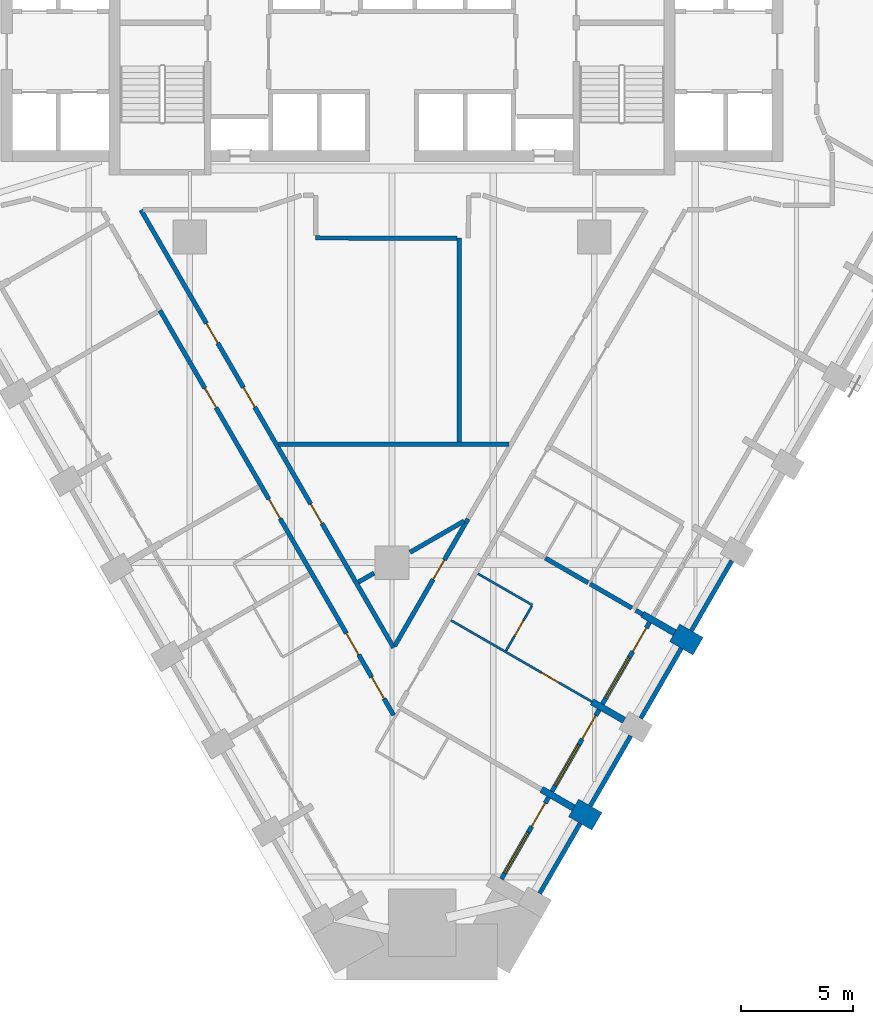
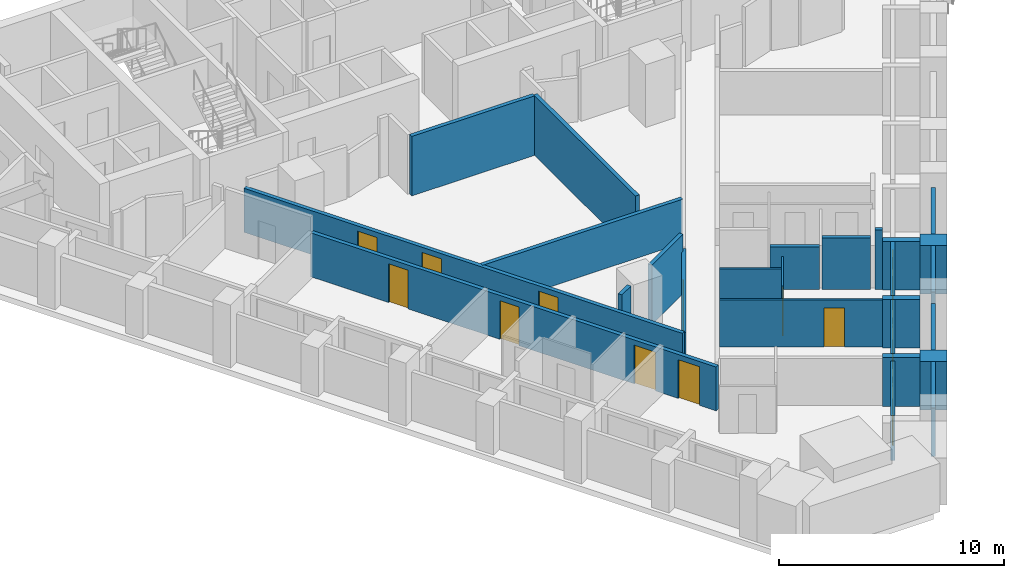
# One storey, part 4 of 10: 26 walls, 13 doors, 3 windows, 16 openings.
"""IFC4 building model written with IfcOpenShell, lengths in metres."""

from ifc_helpers import new_model, si_unit, direction, frame, frame_2d, origin, place, context, subcontext, project, spatial, polyline, rectangle, outline, extrude, material, layer, layer_set, type_object, element, fill, save


model = new_model("IFC4")

# Units and contexts
model_context = context("Model", 3, precision=1e-05, world=origin(), true_north=direction((0.0, 1.0)))
body_context = subcontext(model_context, "Body", "Model", "MODEL_VIEW")
ifc_project = project(units=[si_unit("LENGTHUNIT", "METRE"), si_unit("AREAUNIT", "SQUARE_METRE"), si_unit("VOLUMEUNIT", "CUBIC_METRE"), si_unit("PLANEANGLEUNIT", "RADIAN"), si_unit("MASSUNIT", "GRAM", prefix="KILO")], contexts=[model_context])

# Site, building, storey
site_placement = place(None, origin())
site = spatial("IfcSite", under=ifc_project, at=site_placement, CompositionType="ELEMENT")
building_placement = place(site_placement, origin())
building = spatial("IfcBuilding", under=site, at=building_placement, Name="Calabash Gate Tower", CompositionType="ELEMENT")
storey_placement = place(building_placement, frame((0.0, 0.0, 91.800048828125)))
storey = spatial("IfcBuildingStorey", under=building, at=storey_placement, Name="L19", CompositionType="ELEMENT", Elevation=91.800048828125)

# Walls
ifc_material_1 = material(Name="Terracotta brick masonry, exposed face", Category="masonry")
ifc_layer_1 = layer(ifc_material_1, 1.199951171875)
ifc_layer_set_1 = layer_set([ifc_layer_1], Name="Brick end wall 1200")
wall_type_1 = type_object("IfcWallType", Name="Brick end wall 1200", PredefinedType="SOLIDWALL", material=ifc_layer_set_1)
for number, where, z_axis, x_axis, name in (
    (1, (9.1171875, -23.513916015625, 0.0), (0.0, 0.0, 1.0), (-0.866006032174, 0.500033551112, 0.0), "Brick pier S05 SE2.1"),
    (2, (12.577880859375, -15.11962890625, 0.0), (0.0, 0.0, 1.0), (0.866006032174, -0.500033551112, 0.0), "Brick pier S05 SE2.3"),
):
    element("IfcWall", number, at=place(storey_placement, frame(where, z_axis=z_axis, x_axis=x_axis)), inside=storey, type_object=wall_type_1, Name=name, PredefinedType="SOLIDWALL", context=body_context, shape_type="SweptSolid", body=[
        extrude(rectangle(XDim=1.2001953125, YDim=0.89990234375, at=frame_2d((0.60009765625, 0.0))), origin(), (0.0, 0.0, 1.0), 2.6298828125),
    ])
ifc_material_2 = material(Name="Terracotta brick masonry, exposed face", Category="masonry")
ifc_layer_2 = layer(ifc_material_2, 0.300048828125)
ifc_layer_set_2 = layer_set([ifc_layer_2], Name="Brick loggia cheek wall 300")
wall_type_2 = type_object("IfcWallType", Name="Brick loggia cheek wall 300", PredefinedType="SOLIDWALL", material=ifc_layer_set_2)
wall_1_placement = place(storey_placement, frame((8.077880859375, -22.913818359375, 0.0), z_axis=(0.0, 0.0, 1.0), x_axis=(-0.866040211805, 0.499974350878, 0.0)))
element("IfcWall", 3, at=wall_1_placement, inside=storey, type_object=wall_type_2, Name="Loggia cheek S05 SE2.1", PredefinedType="SOLIDWALL", context=body_context, shape_type="SweptSolid", body=[
    extrude(rectangle(XDim=1.64990234375, YDim=0.300048828125, at=frame_2d((0.824951171875, 0.0))), origin(), (0.0, 0.0, 1.0), 2.64990234375),
])
wall_2_placement = place(storey_placement, frame((8.89892578125, -18.19189453125, 0.0), z_axis=(0.0, 0.0, 1.0), x_axis=(0.866067297121, -0.499927431592, 0.0)))
element("IfcWall", 4, at=wall_2_placement, inside=storey, type_object=wall_type_2, Name="Loggia cheek S05 SE2.2", PredefinedType="SOLIDWALL", context=body_context, shape_type="SweptSolid", body=[
    extrude(rectangle(XDim=1.649658203125, YDim=0.300048828125, at=frame_2d((0.82470703125, 0.0))), origin(), (0.0, 0.0, 1.0), 2.64990234375),
])
wall_3_placement = place(storey_placement, frame((12.577880859375, -15.11962890625, 0.0), z_axis=(0.0, 0.0, 1.0), x_axis=(-0.866040211805, 0.499974350878, 0.0)))
element("IfcWall", 5, at=wall_3_placement, inside=storey, type_object=wall_type_2, Name="Loggia cheek S05 SE2.3", PredefinedType="SOLIDWALL", context=body_context, shape_type="SweptSolid", body=[
    extrude(rectangle(XDim=1.64990234375, YDim=0.300048828125, at=frame_2d((0.824951171875, 0.0))), origin(), (0.0, 0.0, 1.0), 2.64990234375),
])

# Wall, opening, door
ifc_material_3 = material(Name="Gypsum board on steel studs, mineral wool", Category="steel")
ifc_layer_3 = layer(ifc_material_3, 0.10009765625)
ifc_layer_set_3 = layer_set([ifc_layer_3], Name="Partition 100 gypsum board")
wall_type_3 = type_object("IfcWallType", Name="Partition 100 gypsum board", PredefinedType="PARTITIONING", material=ifc_layer_set_3)
wall_4_placement = place(storey_placement, frame((5.069580078125, -15.9208984375, 0.0), z_axis=(0.0, 0.0, 1.0), x_axis=(0.500697021662, 0.865622603967, 0.0)))
wall_4 = element("IfcWall", 6, at=wall_4_placement, inside=storey, type_object=wall_type_3, Name="Partition", PredefinedType="PARTITIONING", context=body_context, shape_type="SweptSolid", body=[
    extrude(rectangle(XDim=2.298095703125, YDim=0.10009765625, at=frame_2d((1.14892578125, 0.0))), origin(), (0.0, 0.0, 1.0), 3.22998046875),
])
opening_1_placement = place(wall_4_placement, frame((0.748046875, 0.0, 0.0)))
opening_1 = element("IfcOpeningElement", 7, at=opening_1_placement, cuts=wall_4, Name="Opening 19-21-009", PredefinedType="OPENING", context=body_context, shape_type="SweptSolid", body=[
    extrude(rectangle(XDim=0.800048828125, YDim=2.10009765625, at=frame_2d((0.39990234375, 1.050048828125))), frame((0.0, 0.06005859375, 0.0), z_axis=(0.0, -1.0, 0.0), x_axis=(1.0, 0.0, 0.0)), (0.0, 0.0, 1.0), 0.1201171875),
])
ifc_material_4 = material(Name="Painted timber door", Category="wood")
door_type_1 = type_object("IfcDoorType", Name="GD5 En-suite door 800x2100", OperationType="NOTDEFINED", PredefinedType="DOOR", material=ifc_material_4)
door_1_placement = place(opening_1_placement, origin())
door_1 = element("IfcDoor", 8, at=door_1_placement, inside=storey, type_object=door_type_1, Name="En-suite door", OperationType="SINGLE_SWING_RIGHT", OverallHeight=2.10009765625, OverallWidth=0.800048828125, PredefinedType="DOOR", context=body_context, shape_type="SweptSolid", body=[
    extrude(rectangle(XDim=0.800048828125, YDim=2.10009765625, at=frame_2d((0.39990234375, 1.050048828125))), frame((0.0, 0.02490234375, 0.0), z_axis=(0.0, -1.0, 0.0), x_axis=(1.0, 0.0, 0.0)), (0.0, 0.0, 1.0), 0.050048828125),
])
fill(opening_1, door_1)

wall_5_placement = place(storey_placement, frame((2.621337890625, -14.565185546875, 0.0), z_axis=(0.0, 0.0, 1.0), x_axis=(0.866035857012, -0.499981894041, 0.0)))
wall_5 = element("IfcWall", 9, at=wall_5_placement, inside=storey, type_object=wall_type_3, Name="Partition", PredefinedType="PARTITIONING", context=body_context, shape_type="SweptSolid", body=[
    extrude(rectangle(XDim=7.249755859375, YDim=0.10009765625, at=frame_2d((3.625, 0.0))), origin(), (0.0, 0.0, 1.0), 2.5517578125),
])
opening_2_placement = place(wall_5_placement, frame((4.64990234375, 0.0, 0.0)))
opening_2 = element("IfcOpeningElement", 10, at=opening_2_placement, cuts=wall_5, Name="Opening 19-21-008", PredefinedType="OPENING", context=body_context, shape_type="SweptSolid", body=[
    extrude(rectangle(XDim=0.89990234375, YDim=2.10009765625, at=frame_2d((0.449951171875, 1.050048828125))), frame((0.0, 0.06005859375, 0.0), z_axis=(0.0, -1.0, 0.0), x_axis=(1.0, 0.0, 0.0)), (0.0, 0.0, 1.0), 0.1201171875),
])
ifc_material_5 = material(Name="Painted timber door", Category="wood")
door_type_2 = type_object("IfcDoorType", Name="GD7 Suite room door 900x2100", OperationType="NOTDEFINED", PredefinedType="DOOR", material=ifc_material_5)
door_2_placement = place(opening_2_placement, origin())
door_2 = element("IfcDoor", 11, at=door_2_placement, inside=storey, type_object=door_type_2, Name="Suite room door", OperationType="SINGLE_SWING_RIGHT", OverallHeight=2.10009765625, OverallWidth=0.89990234375, PredefinedType="DOOR", context=body_context, shape_type="SweptSolid", body=[
    extrude(rectangle(XDim=0.89990234375, YDim=2.10009765625, at=frame_2d((0.449951171875, 1.050048828125))), frame((0.0, 0.02490234375, 0.0), z_axis=(0.0, -1.0, 0.0), x_axis=(1.0, 0.0, 0.0)), (0.0, 0.0, 1.0), 0.050048828125),
])
fill(opening_2, door_2)

# Wall
wall_6_placement = place(storey_placement, frame((3.819580078125, -12.48974609375, 0.0), z_axis=(0.0, 0.0, 1.0), x_axis=(0.866326367614, -0.499478352661, 0.0)))
element("IfcWall", 12, at=wall_6_placement, inside=storey, type_object=wall_type_3, Name="Partition", PredefinedType="PARTITIONING", context=body_context, shape_type="SweptSolid", body=[
    extrude(rectangle(XDim=2.7998046875, YDim=0.10009765625, at=frame_2d((1.39990234375, 0.0))), origin(), (0.0, 0.0, 1.0), 2.5517578125),
])

# Wall, openings, doors
ifc_material_6 = material(Name="Gypsum board on steel studs, mineral wool", Category="steel")
ifc_layer_4 = layer(ifc_material_6, 0.199951171875)
ifc_layer_set_4 = layer_set([ifc_layer_4], Name="Partition 200 gypsum board EI 60")
wall_type_4 = type_object("IfcWallType", Name="Partition 200 gypsum board EI 60", PredefinedType="PARTITIONING", material=ifc_layer_set_4)
wall_7_placement = place(storey_placement, frame((-10.333740234375, -0.770263671875, 0.0), z_axis=(0.0, 0.0, 1.0), x_axis=(0.499996405163, -0.866027479255, 0.0)))
wall_7 = element("IfcWall", 13, at=wall_7_placement, inside=storey, type_object=wall_type_4, Name="Partition", PredefinedType="PARTITIONING", context=body_context, shape_type="SweptSolid", body=[
    extrude(rectangle(XDim=20.802978515625, YDim=0.199951171875, at=frame_2d((10.4013671875, 0.0))), origin(), (0.0, 0.0, 1.0), 2.384033203125),
])
opening_3_placement = place(wall_7_placement, frame((4.0, 0.0, 0.0)))
opening_3 = element("IfcOpeningElement", 14, at=opening_3_placement, cuts=wall_7, Name="Opening 19-21-002", PredefinedType="OPENING", context=body_context, shape_type="SweptSolid", body=[
    extrude(rectangle(XDim=1.0, YDim=2.10009765625, at=frame_2d((0.5, 1.050048828125))), frame((0.0, 0.10986328125, 0.0), z_axis=(0.0, -1.0, 0.0), x_axis=(1.0, 0.0, 0.0)), (0.0, 0.0, 1.0), 0.219970703125),
])
opening_4_placement = place(wall_7_placement, frame((9.69970703125, 0.0, 0.0)))
opening_4 = element("IfcOpeningElement", 15, at=opening_4_placement, cuts=wall_7, Name="Opening 19-21-003", PredefinedType="OPENING", context=body_context, shape_type="SweptSolid", body=[
    extrude(rectangle(XDim=1.0, YDim=2.10009765625, at=frame_2d((0.5, 1.050048828125))), frame((0.0, 0.10986328125, 0.0), z_axis=(0.0, -1.0, 0.0), x_axis=(1.0, 0.0, 0.0)), (0.0, 0.0, 1.0), 0.219970703125),
])
opening_5_placement = place(wall_7_placement, frame((16.599853515625, 0.0, 0.0)))
opening_5 = element("IfcOpeningElement", 16, at=opening_5_placement, cuts=wall_7, Name="Opening 19-21-005", PredefinedType="OPENING", context=body_context, shape_type="SweptSolid", body=[
    extrude(rectangle(XDim=1.10009765625, YDim=2.10009765625, at=frame_2d((0.550048828125, 1.050048828125))), frame((0.0, 0.10986328125, 0.0), z_axis=(0.0, -1.0, 0.0), x_axis=(1.0, 0.0, 0.0)), (0.0, 0.0, 1.0), 0.219970703125),
])
opening_6_placement = place(wall_7_placement, frame((18.8515625, 0.0, 0.0)))
opening_6 = element("IfcOpeningElement", 17, at=opening_6_placement, cuts=wall_7, Name="Opening 19-21-025", PredefinedType="OPENING", context=body_context, shape_type="SweptSolid", body=[
    extrude(rectangle(XDim=1.10009765625, YDim=2.10009765625, at=frame_2d((0.550048828125, 1.050048828125))), frame((0.0, 0.10986328125, 0.0), z_axis=(0.0, -1.0, 0.0), x_axis=(1.0, 0.0, 0.0)), (0.0, 0.0, 1.0), 0.219970703125),
])
ifc_material_7 = material(Name="Steel fire door set with fire-resisting glazing", Category="steel")
door_type_3 = type_object("IfcDoorType", Name="GD1 Guest room entrance door 1000x2100", OperationType="NOTDEFINED", PredefinedType="DOOR", material=ifc_material_7)
door_3_placement = place(opening_4_placement, origin())
door_3 = element("IfcDoor", 18, at=door_3_placement, inside=storey, type_object=door_type_3, Name="Guest room entrance door", OperationType="SINGLE_SWING_RIGHT", OverallHeight=2.10009765625, OverallWidth=1.0, PredefinedType="DOOR", context=body_context, shape_type="SweptSolid", body=[
    extrude(rectangle(XDim=1.0, YDim=2.10009765625, at=frame_2d((0.5, 1.050048828125))), frame((0.0, 0.02490234375, 0.0), z_axis=(0.0, -1.0, 0.0), x_axis=(1.0, 0.0, 0.0)), (0.0, 0.0, 1.0), 0.050048828125),
])
fill(opening_4, door_3)
ifc_material_8 = material(Name="Steel fire door set with fire-resisting glazing", Category="steel")
door_type_4 = type_object("IfcDoorType", Name="GD2 Accessible guest room entrance door 1100x2100", OperationType="NOTDEFINED", PredefinedType="DOOR", material=ifc_material_8)
door_4_placement = place(opening_5_placement, origin())
door_4 = element("IfcDoor", 19, at=door_4_placement, inside=storey, type_object=door_type_4, Name="Accessible guest room entrance door", OperationType="SINGLE_SWING_LEFT", OverallHeight=2.10009765625, OverallWidth=1.10009765625, PredefinedType="DOOR", context=body_context, shape_type="SweptSolid", body=[
    extrude(rectangle(XDim=1.10009765625, YDim=2.10009765625, at=frame_2d((0.550048828125, 1.050048828125))), frame((0.0, 0.02490234375, 0.0), z_axis=(0.0, -1.0, 0.0), x_axis=(1.0, 0.0, 0.0)), (0.0, 0.0, 1.0), 0.050048828125),
])
fill(opening_5, door_4)
ifc_material_9 = material(Name="Steel fire door set with fire-resisting glazing", Category="steel")
door_type_5 = type_object("IfcDoorType", Name="GD3 Suite entrance door 1100x2100", OperationType="NOTDEFINED", PredefinedType="DOOR", material=ifc_material_9)
door_5_placement = place(opening_6_placement, origin())
door_5 = element("IfcDoor", 20, at=door_5_placement, inside=storey, type_object=door_type_5, Name="Suite entrance door", OperationType="SINGLE_SWING_LEFT", OverallHeight=2.10009765625, OverallWidth=1.10009765625, PredefinedType="DOOR", context=body_context, shape_type="SweptSolid", body=[
    extrude(rectangle(XDim=1.10009765625, YDim=2.10009765625, at=frame_2d((0.550048828125, 1.050048828125))), frame((0.0, 0.02490234375, 0.0), z_axis=(0.0, -1.0, 0.0), x_axis=(1.0, 0.0, 0.0)), (0.0, 0.0, 1.0), 0.050048828125),
])
fill(opening_6, door_5)
ifc_material_10 = material(Name="Steel fire door set with fire-resisting glazing", Category="steel")
door_type_6 = type_object("IfcDoorType", Name="LD2 Meeting room door 1000x2100", OperationType="NOTDEFINED", PredefinedType="DOOR", material=ifc_material_10)
door_6_placement = place(opening_3_placement, origin())
door_6 = element("IfcDoor", 21, at=door_6_placement, inside=storey, type_object=door_type_6, Name="Meeting room door", OperationType="SINGLE_SWING_RIGHT", OverallHeight=2.10009765625, OverallWidth=1.0, PredefinedType="DOOR", context=body_context, shape_type="SweptSolid", body=[
    extrude(rectangle(XDim=1.0, YDim=2.10009765625, at=frame_2d((0.5, 1.050048828125))), frame((0.0, 0.02490234375, 0.0), z_axis=(0.0, -1.0, 0.0), x_axis=(1.0, 0.0, 0.0)), (0.0, 0.0, 1.0), 0.050048828125),
])
fill(opening_3, door_6)

# Wall, opening, door
wall_8_placement = place(storey_placement, frame((0.119384765625, -15.697998046875, 0.0), z_axis=(0.0, 0.0, 1.0), x_axis=(0.499994537821, 0.866028557352, 0.0)))
wall_8 = element("IfcWall", 22, at=wall_8_placement, inside=storey, type_object=wall_type_4, Name="Partition", PredefinedType="PARTITIONING", context=body_context, shape_type="SweptSolid", body=[
    extrude(rectangle(XDim=6.5244140625, YDim=0.199951171875, at=frame_2d((3.26220703125, 0.0))), origin(), (0.0, 0.0, 1.0), 2.302490234375),
])
opening_7_placement = place(wall_8_placement, frame((3.4130859375, 0.0, 0.0)))
opening_7 = element("IfcOpeningElement", 23, at=opening_7_placement, cuts=wall_8, Name="Opening 19-21-013", PredefinedType="OPENING", context=body_context, shape_type="SweptSolid", body=[
    extrude(rectangle(XDim=1.0, YDim=2.10009765625, at=frame_2d((0.5, 1.050048828125))), frame((0.0, 0.10986328125, 0.0), z_axis=(0.0, -1.0, 0.0), x_axis=(1.0, 0.0, 0.0)), (0.0, 0.0, 1.0), 0.219970703125),
])
door_7_placement = place(opening_7_placement, origin())
door_7 = element("IfcDoor", 24, at=door_7_placement, inside=storey, type_object=door_type_6, Name="Meeting room door", OperationType="SINGLE_SWING_RIGHT", OverallHeight=2.10009765625, OverallWidth=1.0, PredefinedType="DOOR", context=body_context, shape_type="SweptSolid", body=[
    extrude(rectangle(XDim=1.0, YDim=2.10009765625, at=frame_2d((0.5, 1.050048828125))), frame((0.0, 0.02490234375, 0.0), z_axis=(0.0, -1.0, 0.0), x_axis=(1.0, 0.0, 0.0)), (0.0, 0.0, 1.0), 0.050048828125),
])
fill(opening_7, door_7)

# Walls
wall_9_placement = place(storey_placement, frame((10.8466796875, -14.118408203125, 0.0), z_axis=(0.0, 0.0, 1.0), x_axis=(0.864133115814, -0.503263308968, 0.0)))
element("IfcWall", 25, at=wall_9_placement, inside=storey, type_object=wall_type_4, Name="Partition", PredefinedType="PARTITIONING", context=body_context, shape_type="SweptSolid", body=[
    extrude(rectangle(XDim=0.349853515625, YDim=0.199951171875, at=frame_2d((0.1748046875, 0.0))), origin(), (0.0, 0.0, 1.0), 3.22998046875),
])
wall_10_placement = place(storey_placement, frame((8.811767578125, -12.943115234375, 0.0), z_axis=(0.0, 0.0, 1.0), x_axis=(0.86565946566, -0.500633288458, 0.0)))
element("IfcWall", 26, at=wall_10_placement, inside=storey, type_object=wall_type_4, Name="Partition", PredefinedType="PARTITIONING", context=body_context, shape_type="SweptSolid", body=[
    extrude(rectangle(XDim=2.149658203125, YDim=0.199951171875, at=frame_2d((1.07470703125, 0.0))), origin(), (0.0, 0.0, 1.0), 2.7822265625),
])
wall_11_placement = place(storey_placement, frame((-1.501220703125, -12.864501953125, 0.0), z_axis=(0.0, 0.0, 1.0), x_axis=(0.86708889474, 0.49815343883, 0.0)))
element("IfcWall", 27, at=wall_11_placement, inside=storey, type_object=wall_type_4, Name="Partition", PredefinedType="PARTITIONING", context=body_context, shape_type="SweptSolid", body=[
    extrude(rectangle(XDim=0.80859375, YDim=0.199951171875, at=frame_2d((0.404296875, 0.0))), origin(), (0.0, 0.0, 1.0), 3.22998046875),
])
wall_12_placement = place(storey_placement, frame((6.81982421875, -11.793212890625, 0.0), z_axis=(0.0, 0.0, 1.0), x_axis=(0.865656676501, -0.500638111243, 0.0)))
element("IfcWall", 28, at=wall_12_placement, inside=storey, type_object=wall_type_4, Name="Partition", PredefinedType="PARTITIONING", context=body_context, shape_type="SweptSolid", body=[
    extrude(rectangle(XDim=2.199951171875, YDim=0.199951171875, at=frame_2d((1.10009765625, 0.0))), origin(), (0.0, 0.0, 1.0), 2.302490234375),
])
wall_13_placement = place(storey_placement, frame((0.800048828125, -11.537841796875, 0.0), z_axis=(0.0, 0.0, 1.0), x_axis=(0.865884499667, 0.500243973713, 0.0)))
element("IfcWall", 29, at=wall_13_placement, inside=storey, type_object=wall_type_4, Name="Partition", PredefinedType="PARTITIONING", context=body_context, shape_type="SweptSolid", body=[
    extrude(rectangle(XDim=2.7822265625, YDim=0.199951171875, at=frame_2d((1.39111328125, 0.0))), origin(), (0.0, 0.0, 1.0), 3.22998046875),
])
wall_14_placement = place(storey_placement, frame((-5.06103515625, -6.72509765625, 0.0), z_axis=(0.0, 0.0, 1.0), x_axis=(1.0, 0.0, 0.0)))
element("IfcWall", 30, at=wall_14_placement, inside=storey, type_object=wall_type_4, Name="Partition", PredefinedType="PARTITIONING", context=body_context, shape_type="SweptSolid", body=[
    extrude(rectangle(XDim=10.260986328125, YDim=0.199951171875, at=frame_2d((5.13037109375, 0.0))), origin(), (0.0, 0.0, 1.0), 2.384033203125),
])
wall_15_placement = place(storey_placement, frame((-3.400146484375, 2.452392578125, 0.0), z_axis=(0.0, 0.0, 1.0), x_axis=(0.999999963142, -0.000271507243, 0.0)))
element("IfcWall", 31, at=wall_15_placement, inside=storey, type_object=wall_type_4, Name="Partition", PredefinedType="PARTITIONING", context=body_context, shape_type="SweptSolid", body=[
    extrude(rectangle(XDim=6.29443359375, YDim=0.199951171875, at=frame_2d((3.147216796875, 0.0))), origin(), (0.0, 0.0, 1.0), 3.22998046875),
])
wall_16_placement = place(storey_placement, frame((2.994384765625, -6.623046875, 0.0), z_axis=(0.0, 0.0, 1.0), x_axis=(0.000215209959, 0.999999976842, 0.0)))
element("IfcWall", 32, at=wall_16_placement, inside=storey, type_object=wall_type_4, Name="Partition", PredefinedType="PARTITIONING", context=body_context, shape_type="SweptSolid", body=[
    extrude(rectangle(XDim=9.075439453125, YDim=0.199951171875, at=frame_2d((4.53759765625, 0.0))), origin(), (0.0, 0.0, 1.0), 3.22998046875),
])

# Wall, openings, doors
wall_17_placement = place(storey_placement, frame((-11.179931640625, 3.69970703125, 0.0), z_axis=(0.0, 0.0, 1.0), x_axis=(0.500129162475, -0.865950818951, 0.0)))
wall_17 = element("IfcWall", 33, at=wall_17_placement, inside=storey, type_object=wall_type_4, Name="Partition", PredefinedType="PARTITIONING", context=body_context, shape_type="SweptSolid", body=[
    extrude(rectangle(XDim=22.49853515625, YDim=0.199951171875, at=frame_2d((11.249267578125, 0.0))), origin(), (0.0, 0.0, 1.0), 2.384033203125),
])
opening_8_placement = place(wall_17_placement, frame((9.1298828125, 0.0, 0.0)))
opening_8 = element("IfcOpeningElement", 34, at=opening_8_placement, cuts=wall_17, Name="Opening 19-21-011", PredefinedType="OPENING", context=body_context, shape_type="SweptSolid", body=[
    extrude(rectangle(XDim=1.0, YDim=2.10009765625, at=frame_2d((0.5, 1.050048828125))), frame((0.0, 0.10986328125, 0.0), z_axis=(0.0, -1.0, 0.0), x_axis=(1.0, 0.0, 0.0)), (0.0, 0.0, 1.0), 0.219970703125),
])
opening_9_placement = place(wall_17_placement, frame((15.11083984375, 0.0, 0.0)))
opening_9 = element("IfcOpeningElement", 35, at=opening_9_placement, cuts=wall_17, Name="Opening 19-21-014", PredefinedType="OPENING", context=body_context, shape_type="SweptSolid", body=[
    extrude(rectangle(XDim=1.0, YDim=2.10009765625, at=frame_2d((0.5, 1.050048828125))), frame((0.0, 0.10986328125, 0.0), z_axis=(0.0, -1.0, 0.0), x_axis=(1.0, 0.0, 0.0)), (0.0, 0.0, 1.0), 0.219970703125),
])
opening_10_placement = place(wall_17_placement, frame((5.833984375, 0.0, 0.0)))
opening_10 = element("IfcOpeningElement", 36, at=opening_10_placement, cuts=wall_17, Name="Opening 19-21-026", PredefinedType="OPENING", context=body_context, shape_type="SweptSolid", body=[
    extrude(rectangle(XDim=1.0, YDim=2.10009765625, at=frame_2d((0.5, 1.050048828125))), frame((0.0, 0.10986328125, 0.0), z_axis=(0.0, -1.0, 0.0), x_axis=(1.0, 0.0, 0.0)), (0.0, 0.0, 1.0), 0.219970703125),
])
door_8_placement = place(opening_8_placement, origin())
door_8 = element("IfcDoor", 37, at=door_8_placement, inside=storey, type_object=door_type_6, Name="Meeting room door", OperationType="SINGLE_SWING_LEFT", OverallHeight=2.10009765625, OverallWidth=1.0, PredefinedType="DOOR", context=body_context, shape_type="SweptSolid", body=[
    extrude(rectangle(XDim=1.0, YDim=2.10009765625, at=frame_2d((0.5, 1.050048828125))), frame((0.0, 0.02490234375, 0.0), z_axis=(0.0, -1.0, 0.0), x_axis=(1.0, 0.0, 0.0)), (0.0, 0.0, 1.0), 0.050048828125),
])
fill(opening_8, door_8)
door_9_placement = place(opening_9_placement, origin())
door_9 = element("IfcDoor", 38, at=door_9_placement, inside=storey, type_object=door_type_6, Name="Meeting room door", OperationType="SINGLE_SWING_RIGHT", OverallHeight=2.10009765625, OverallWidth=1.0, PredefinedType="DOOR", context=body_context, shape_type="SweptSolid", body=[
    extrude(rectangle(XDim=1.0, YDim=2.10009765625, at=frame_2d((0.5, 1.050048828125))), frame((0.0, 0.02490234375, 0.0), z_axis=(0.0, -1.0, 0.0), x_axis=(1.0, 0.0, 0.0)), (0.0, 0.0, 1.0), 0.050048828125),
])
fill(opening_9, door_9)
door_10_placement = place(opening_10_placement, origin())
door_10 = element("IfcDoor", 39, at=door_10_placement, inside=storey, type_object=door_type_6, Name="Meeting room door", OperationType="SINGLE_SWING_LEFT", OverallHeight=2.10009765625, OverallWidth=1.0, PredefinedType="DOOR", context=body_context, shape_type="SweptSolid", body=[
    extrude(rectangle(XDim=1.0, YDim=2.10009765625, at=frame_2d((0.5, 1.050048828125))), frame((0.0, 0.02490234375, 0.0), z_axis=(0.0, -1.0, 0.0), x_axis=(1.0, 0.0, 0.0)), (0.0, 0.0, 1.0), 0.050048828125),
])
fill(opening_10, door_10)

# Walls
ifc_material_11 = material(Name="Terracotta brick masonry, perforated", Category="masonry")
ifc_layer_5 = layer(ifc_material_11, 0.199951171875)
ifc_layer_set_5 = layer_set([ifc_layer_5], Name="Terracotta jaali screen A")
wall_type_5 = type_object("IfcWallType", Name="Terracotta jaali screen A", PredefinedType="SOLIDWALL", material=ifc_layer_set_5)
for number, where, z_axis, x_axis, name in (
    (40, (6.572509765625, -26.72119140625, 0.0), (0.0, 0.0, 1.0), (0.500012057535, 0.866018442252, 0.0), "SCREEN A S05 SE2.1"),
    (41, (8.822509765625, -22.82421875, 0.0), (0.0, 0.0, 1.0), (0.500012057535, 0.866018442252, 0.0), "SCREEN A S05 SE2.2"),
    (42, (11.072509765625, -18.927001953125, 0.0), (0.0, 0.0, 1.0), (0.500012057535, 0.866018442252, 0.0), "SCREEN A S05 SE2.3"),
):
    element("IfcWall", number, at=place(storey_placement, frame(where, z_axis=z_axis, x_axis=x_axis)), inside=storey, type_object=wall_type_5, Name=name, PredefinedType="SOLIDWALL", context=body_context, shape_type="SweptSolid", body=[
        extrude(rectangle(XDim=3.60009765625, YDim=0.199951171875, at=frame_2d((1.800048828125, 0.0))), origin(), (0.0, 0.0, 1.0), 2.6298828125),
    ])
wall_18_placement = place(storey_placement, origin())
element("IfcWall", 43, at=wall_18_placement, inside=storey, type_object=wall_type_5, Name="SCREEN A S05 SE2.4", PredefinedType="SOLIDWALL", context=body_context, shape_type="SweptSolid", body=[
    extrude(outline(polyline([(13.408935546875, -15.079833984375), (15.208740234375, -11.962890625), (15.03564453125, -11.86279296875), (13.23583984375, -14.97998046875), (13.408935546875, -15.079833984375)])), origin(), (0.0, 0.0, 1.0), 2.6298828125),
])

# Wall, openings, door, window
ifc_material_12 = material(Name="Aluminium framed window wall with insulated spandrel", Category="aluminium")
ifc_layer_6 = layer(ifc_material_12, 0.199951171875)
ifc_layer_set_6 = layer_set([ifc_layer_6], Name="Window wall 200")
wall_type_6 = type_object("IfcWallType", Name="Window wall 200", PredefinedType="ELEMENTEDWALL", material=ifc_layer_set_6)
wall_19_placement = place(storey_placement, frame((4.863525390625, -26.0810546875, 0.0), z_axis=(0.0, 0.0, 1.0), x_axis=(0.500027713859, 0.866009402589, 0.0)))
wall_19 = element("IfcWall", 44, at=wall_19_placement, inside=storey, type_object=wall_type_6, Name="Window wall S05 SE2.1", PredefinedType="ELEMENTEDWALL", context=body_context, shape_type="SweptSolid", body=[
    extrude(rectangle(XDim=4.199951171875, YDim=0.199951171875, at=frame_2d((2.10009765625, 0.0))), origin(), (0.0, 0.0, 1.0), 2.449951171875),
])
opening_11_placement = place(wall_19_placement, frame((0.300048828125, 0.0, 0.60009765625)))
opening_11 = element("IfcOpeningElement", 45, at=opening_11_placement, cuts=wall_19, Name="Opening HW1L-1750", PredefinedType="OPENING", context=body_context, shape_type="SweptSolid", body=[
    extrude(rectangle(XDim=2.10009765625, YDim=1.75, at=frame_2d((1.050048828125, 0.875))), frame((0.0, 0.10986328125, 0.0), z_axis=(0.0, -1.0, 0.0), x_axis=(1.0, 0.0, 0.0)), (0.0, 0.0, 1.0), 0.219970703125),
])
opening_12_placement = place(wall_19_placement, frame((2.699951171875, 0.0, 0.0)))
opening_12 = element("IfcOpeningElement", 46, at=opening_12_placement, cuts=wall_19, Name="Opening H5-019", PredefinedType="OPENING", context=body_context, shape_type="SweptSolid", body=[
    extrude(rectangle(XDim=1.199951171875, YDim=2.35009765625, at=frame_2d((0.60009765625, 1.175048828125))), frame((0.0, 0.10986328125, 0.0), z_axis=(0.0, -1.0, 0.0), x_axis=(1.0, 0.0, 0.0)), (0.0, 0.0, 1.0), 0.219970703125),
])
ifc_material_13 = material(Name="Anodised aluminium frame, bronze finish, impact-rated laminated clear glazing", Category="aluminium")
door_type_7 = type_object("IfcDoorType", Name="Loggia door DH1L-2350 1200x2350", OperationType="SLIDING_TO_LEFT", PredefinedType="DOOR", material=ifc_material_13)
door_11_placement = place(opening_12_placement, origin())
door_11 = element("IfcDoor", 47, at=door_11_placement, inside=storey, type_object=door_type_7, Name="Loggia door S05 SE2.1", OperationType="SINGLE_SWING_LEFT", OverallHeight=2.35009765625, OverallWidth=1.199951171875, PredefinedType="DOOR", context=body_context, shape_type="SweptSolid", body=[
    extrude(rectangle(XDim=1.199951171875, YDim=2.35009765625, at=frame_2d((0.60009765625, 1.175048828125))), frame((0.0, 0.02490234375, 0.0), z_axis=(0.0, -1.0, 0.0), x_axis=(1.0, 0.0, 0.0)), (0.0, 0.0, 1.0), 0.050048828125),
])
fill(opening_12, door_11)
ifc_material_14 = material(Name="Anodised aluminium frame, bronze finish, impact-rated laminated clear glazing", Category="aluminium")
window_type_1 = type_object("IfcWindowType", Name="Window HW1L 2100x1750", PartitioningType="DOUBLE_PANEL_VERTICAL", PredefinedType="WINDOW", material=ifc_material_14)
window_1_placement = place(opening_11_placement, origin())
window_1 = element("IfcWindow", 48, at=window_1_placement, inside=storey, type_object=window_type_1, Name="Window HW1 S05 SE2.1", OverallHeight=1.75, OverallWidth=2.10009765625, PartitioningType="SINGLE_PANEL", PredefinedType="WINDOW", context=body_context, shape_type="SweptSolid", body=[
    extrude(rectangle(XDim=2.10009765625, YDim=1.75, at=frame_2d((1.050048828125, 0.875))), frame((0.0, 0.030029296875, 0.0), z_axis=(0.0, -1.0, 0.0), x_axis=(1.0, 0.0, 0.0)), (0.0, 0.0, 1.0), 0.06005859375),
])
fill(opening_11, window_1)

wall_20_placement = place(storey_placement, frame((7.113525390625, -22.18408203125, 0.0), z_axis=(0.0, 0.0, 1.0), x_axis=(0.500002543286, 0.866023935413, 0.0)))
wall_20 = element("IfcWall", 49, at=wall_20_placement, inside=storey, type_object=wall_type_6, Name="Window wall S05 SE2.2", PredefinedType="ELEMENTEDWALL", context=body_context, shape_type="SweptSolid", body=[
    extrude(rectangle(XDim=4.2001953125, YDim=0.199951171875, at=frame_2d((2.10009765625, 0.0))), origin(), (0.0, 0.0, 1.0), 2.64990234375),
])
opening_13_placement = place(wall_20_placement, frame((0.300048828125, 0.0, 0.60009765625)))
opening_13 = element("IfcOpeningElement", 50, at=opening_13_placement, cuts=wall_20, Name="Opening HW1", PredefinedType="OPENING", context=body_context, shape_type="SweptSolid", body=[
    extrude(rectangle(XDim=2.10009765625, YDim=1.800048828125, at=frame_2d((1.050048828125, 0.89990234375))), frame((0.0, 0.10986328125, 0.0), z_axis=(0.0, -1.0, 0.0), x_axis=(1.0, 0.0, 0.0)), (0.0, 0.0, 1.0), 0.219970703125),
])
opening_14_placement = place(wall_20_placement, frame((2.699951171875, 0.0, 0.0)))
opening_14 = element("IfcOpeningElement", 51, at=opening_14_placement, cuts=wall_20, Name="Opening H5-020", PredefinedType="OPENING", context=body_context, shape_type="SweptSolid", body=[
    extrude(rectangle(XDim=1.199951171875, YDim=2.39990234375, at=frame_2d((0.60009765625, 1.199951171875))), frame((0.0, 0.10986328125, 0.0), z_axis=(0.0, -1.0, 0.0), x_axis=(1.0, 0.0, 0.0)), (0.0, 0.0, 1.0), 0.219970703125),
])
ifc_material_15 = material(Name="Anodised aluminium frame, bronze finish, impact-rated laminated clear glazing", Category="aluminium")
door_type_8 = type_object("IfcDoorType", Name="Loggia door DH1 1200x2400", OperationType="SLIDING_TO_LEFT", PredefinedType="DOOR", material=ifc_material_15)
door_12_placement = place(opening_14_placement, origin())
door_12 = element("IfcDoor", 52, at=door_12_placement, inside=storey, type_object=door_type_8, Name="Loggia door S05 SE2.2", OperationType="SINGLE_SWING_LEFT", OverallHeight=2.39990234375, OverallWidth=1.199951171875, PredefinedType="DOOR", context=body_context, shape_type="SweptSolid", body=[
    extrude(rectangle(XDim=1.199951171875, YDim=2.39990234375, at=frame_2d((0.60009765625, 1.199951171875))), frame((0.0, 0.02490234375, 0.0), z_axis=(0.0, -1.0, 0.0), x_axis=(1.0, 0.0, 0.0)), (0.0, 0.0, 1.0), 0.050048828125),
])
fill(opening_14, door_12)
ifc_material_16 = material(Name="Anodised aluminium frame, bronze finish, impact-rated laminated clear glazing", Category="aluminium")
window_type_2 = type_object("IfcWindowType", Name="Window HW1 2100x1800", PartitioningType="DOUBLE_PANEL_VERTICAL", PredefinedType="WINDOW", material=ifc_material_16)
window_2_placement = place(opening_13_placement, origin())
window_2 = element("IfcWindow", 53, at=window_2_placement, inside=storey, type_object=window_type_2, Name="Window HW1 S05 SE2.2", OverallHeight=1.800048828125, OverallWidth=2.10009765625, PartitioningType="SINGLE_PANEL", PredefinedType="WINDOW", context=body_context, shape_type="SweptSolid", body=[
    extrude(rectangle(XDim=2.10009765625, YDim=1.800048828125, at=frame_2d((1.050048828125, 0.89990234375))), frame((0.0, 0.030029296875, 0.0), z_axis=(0.0, -1.0, 0.0), x_axis=(1.0, 0.0, 0.0)), (0.0, 0.0, 1.0), 0.06005859375),
])
fill(opening_13, window_2)

wall_21_placement = place(storey_placement, frame((9.363525390625, -18.286865234375, 0.0), z_axis=(0.0, 0.0, 1.0), x_axis=(0.500027713859, 0.866009402589, 0.0)))
wall_21 = element("IfcWall", 54, at=wall_21_placement, inside=storey, type_object=wall_type_6, Name="Window wall S05 SE2.3", PredefinedType="ELEMENTEDWALL", context=body_context, shape_type="SweptSolid", body=[
    extrude(rectangle(XDim=4.199951171875, YDim=0.199951171875, at=frame_2d((2.10009765625, 0.0))), origin(), (0.0, 0.0, 1.0), 2.64990234375),
])
opening_15_placement = place(wall_21_placement, frame((0.300048828125, 0.0, 0.60009765625)))
opening_15 = element("IfcOpeningElement", 55, at=opening_15_placement, cuts=wall_21, Name="Opening HW1", PredefinedType="OPENING", context=body_context, shape_type="SweptSolid", body=[
    extrude(rectangle(XDim=2.10009765625, YDim=1.800048828125, at=frame_2d((1.050048828125, 0.89990234375))), frame((0.0, 0.10986328125, 0.0), z_axis=(0.0, -1.0, 0.0), x_axis=(1.0, 0.0, 0.0)), (0.0, 0.0, 1.0), 0.219970703125),
])
opening_16_placement = place(wall_21_placement, frame((2.699951171875, 0.0, 0.0)))
opening_16 = element("IfcOpeningElement", 56, at=opening_16_placement, cuts=wall_21, Name="Opening H5-021", PredefinedType="OPENING", context=body_context, shape_type="SweptSolid", body=[
    extrude(rectangle(XDim=1.199951171875, YDim=2.39990234375, at=frame_2d((0.60009765625, 1.199951171875))), frame((0.0, 0.10986328125, 0.0), z_axis=(0.0, -1.0, 0.0), x_axis=(1.0, 0.0, 0.0)), (0.0, 0.0, 1.0), 0.219970703125),
])
door_13_placement = place(opening_16_placement, origin())
door_13 = element("IfcDoor", 57, at=door_13_placement, inside=storey, type_object=door_type_8, Name="Loggia door S05 SE2.3", OperationType="SINGLE_SWING_LEFT", OverallHeight=2.39990234375, OverallWidth=1.199951171875, PredefinedType="DOOR", context=body_context, shape_type="SweptSolid", body=[
    extrude(rectangle(XDim=1.199951171875, YDim=2.39990234375, at=frame_2d((0.60009765625, 1.199951171875))), frame((0.0, 0.02490234375, 0.0), z_axis=(0.0, -1.0, 0.0), x_axis=(1.0, 0.0, 0.0)), (0.0, 0.0, 1.0), 0.050048828125),
])
fill(opening_16, door_13)
window_3_placement = place(opening_15_placement, origin())
window_3 = element("IfcWindow", 58, at=window_3_placement, inside=storey, type_object=window_type_2, Name="Window HW1 S05 SE2.3", OverallHeight=1.800048828125, OverallWidth=2.10009765625, PartitioningType="SINGLE_PANEL", PredefinedType="WINDOW", context=body_context, shape_type="SweptSolid", body=[
    extrude(rectangle(XDim=2.10009765625, YDim=1.800048828125, at=frame_2d((1.050048828125, 0.89990234375))), frame((0.0, 0.030029296875, 0.0), z_axis=(0.0, -1.0, 0.0), x_axis=(1.0, 0.0, 0.0)), (0.0, 0.0, 1.0), 0.06005859375),
])
fill(opening_15, window_3)

save(model, "model.ifc")
